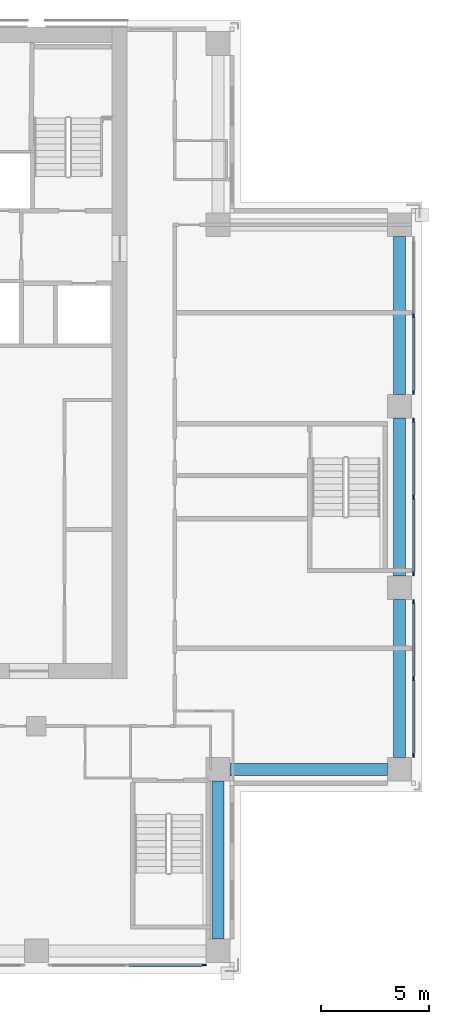
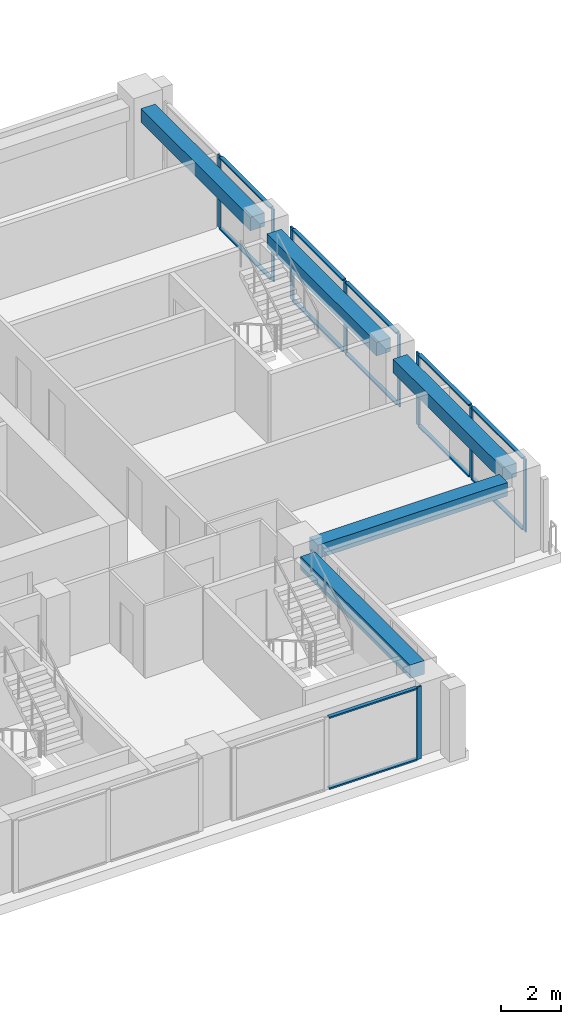
# One storey, part 5 of 16: 21 members, 5 beams, 4 elements without a shape of their own.
"""IFC4 building model written with IfcOpenShell, lengths in metres."""

from ifc_helpers import new_model, si_unit, direction, frame, origin, origin_2d, place, context, subcontext, project, spatial, rectangle, extrude, material, material_profile, profile_set, type_object, element, aggregate, save


model = new_model("IFC4")

# Units and contexts
model_context = context("Model", 3, precision=1e-05, world=origin(), true_north=direction((0.0, 1.0)))
body_context = subcontext(model_context, "Body", "Model", "MODEL_VIEW")
ifc_project = project(units=[si_unit("LENGTHUNIT", "METRE"), si_unit("AREAUNIT", "SQUARE_METRE"), si_unit("VOLUMEUNIT", "CUBIC_METRE"), si_unit("PLANEANGLEUNIT", "RADIAN"), si_unit("MASSUNIT", "GRAM", prefix="KILO")], contexts=[model_context])

# Site, building, storey
site_placement = place(None, origin())
site = spatial("IfcSite", under=ifc_project, at=site_placement, CompositionType="ELEMENT")
building_placement = place(site_placement, origin())
building = spatial("IfcBuilding", under=site, at=building_placement, Name="Vermilion Ogive Tower", CompositionType="ELEMENT")
storey_placement = place(building_placement, frame((0.0, 0.0, 167.60009765625)))
storey = spatial("IfcBuildingStorey", under=building, at=storey_placement, Name="L43", CompositionType="ELEMENT", Elevation=167.60009765625)

# Curtain wall, member
ifc_material_1 = material(Name="Low-iron laminated glazing in aluminium frame", Category="aluminium")
curtain_wall_type = type_object("IfcCurtainWallType", Name="Curtain wall CW7", PredefinedType="NOTDEFINED", material=ifc_material_1)
curtain_wall_1_placement = place(storey_placement, origin())
curtain_wall_1 = element("IfcCurtainWall", 1, at=curtain_wall_1_placement, inside=storey, type_object=curtain_wall_type, Name="Glazed skin S3", PredefinedType="NOTDEFINED")
ifc_material_2 = material(Name="Aluminium mullion", Category="aluminium")
ifc_material_profile_1 = material_profile(ifc_material_2, rectangle(XDim=0.06005859375, YDim=0.179931640625, at=origin_2d()), Name="AL 60x180")
ifc_profile_set_1 = profile_set([ifc_material_profile_1], Name="Aluminium mullion")
member_type_1 = type_object("IfcMemberType", Name="CW7 mullion 60x180", PredefinedType="MULLION", material=ifc_profile_set_1)
member_1_placement = place(storey_placement, frame((11.9599609375, -21.64990234375, 0.0), z_axis=(0.0, 0.0, 1.0), x_axis=(0.0, 1.0, 0.0)))
member_1 = element("IfcMember", 2, at=member_1_placement, type_object=member_type_1, Name="CW7-S3 mullion 3", PredefinedType="MULLION", context=body_context, shape_type="SweptSolid", body=[
    extrude(rectangle(XDim=0.06005859375, YDim=0.179931640625, at=origin_2d()), origin(), (0.0, 0.0, 1.0), 2.949951171875),
])

# Curtain wall, members
curtain_wall_2_placement = place(storey_placement, origin())
curtain_wall_2 = element("IfcCurtainWall", 3, at=curtain_wall_2_placement, inside=storey, type_object=curtain_wall_type, Name="Glazed skin E1", PredefinedType="NOTDEFINED")
member_2_placement = place(storey_placement, frame((21.64990234375, -11.9599609375, 0.0), z_axis=(0.0, 0.0, 1.0), x_axis=(-1.0, 0.0, 0.0)))
member_2 = element("IfcMember", 4, at=member_2_placement, type_object=member_type_1, Name="CW7-E1 mullion 1", PredefinedType="MULLION", context=body_context, shape_type="SweptSolid", body=[
    extrude(rectangle(XDim=0.06005859375, YDim=0.179931640625, at=origin_2d()), origin(), (0.0, 0.0, 1.0), 2.949951171875),
])
member_3_placement = place(storey_placement, frame((21.64990234375, -8.39990234375, 0.0), z_axis=(0.0, 0.0, 1.0), x_axis=(-1.0, 0.0, 0.0)))
member_3 = element("IfcMember", 5, at=member_3_placement, type_object=member_type_1, Name="CW7-E1 mullion 2", PredefinedType="MULLION", context=body_context, shape_type="SweptSolid", body=[
    extrude(rectangle(XDim=0.06005859375, YDim=0.179931640625, at=origin_2d()), origin(), (0.0, 0.0, 1.0), 2.949951171875),
])
member_4_placement = place(storey_placement, frame((21.64990234375, -4.840087890625, 0.0), z_axis=(0.0, 0.0, 1.0), x_axis=(-1.0, 0.0, 0.0)))
member_4 = element("IfcMember", 6, at=member_4_placement, type_object=member_type_1, Name="CW7-E1 mullion 3", PredefinedType="MULLION", context=body_context, shape_type="SweptSolid", body=[
    extrude(rectangle(XDim=0.06005859375, YDim=0.179931640625, at=origin_2d()), origin(), (0.0, 0.0, 1.0), 2.949951171875),
])

curtain_wall_3_placement = place(storey_placement, origin())
curtain_wall_3 = element("IfcCurtainWall", 7, at=curtain_wall_3_placement, inside=storey, type_object=curtain_wall_type, Name="Glazed skin E2", PredefinedType="NOTDEFINED")
member_5_placement = place(storey_placement, frame((21.64990234375, -3.56005859375, 0.0), z_axis=(0.0, 0.0, 1.0), x_axis=(-1.0, 0.0, 0.0)))
member_5 = element("IfcMember", 8, at=member_5_placement, type_object=member_type_1, Name="CW7-E2 mullion 1", PredefinedType="MULLION", context=body_context, shape_type="SweptSolid", body=[
    extrude(rectangle(XDim=0.06005859375, YDim=0.179931640625, at=origin_2d()), origin(), (0.0, 0.0, 1.0), 2.949951171875),
])
member_6_placement = place(storey_placement, frame((21.64990234375, 0.0, 0.0), z_axis=(0.0, 0.0, 1.0), x_axis=(-1.0, 0.0, 0.0)))
member_6 = element("IfcMember", 9, at=member_6_placement, type_object=member_type_1, Name="CW7-E2 mullion 2", PredefinedType="MULLION", context=body_context, shape_type="SweptSolid", body=[
    extrude(rectangle(XDim=0.06005859375, YDim=0.179931640625, at=origin_2d()), origin(), (0.0, 0.0, 1.0), 2.949951171875),
])
member_7_placement = place(storey_placement, frame((21.64990234375, 3.56005859375, 0.0), z_axis=(0.0, 0.0, 1.0), x_axis=(-1.0, 0.0, 0.0)))
member_7 = element("IfcMember", 10, at=member_7_placement, type_object=member_type_1, Name="CW7-E2 mullion 3", PredefinedType="MULLION", context=body_context, shape_type="SweptSolid", body=[
    extrude(rectangle(XDim=0.06005859375, YDim=0.179931640625, at=origin_2d()), origin(), (0.0, 0.0, 1.0), 2.949951171875),
])

curtain_wall_4_placement = place(storey_placement, origin())
curtain_wall_4 = element("IfcCurtainWall", 11, at=curtain_wall_4_placement, inside=storey, type_object=curtain_wall_type, Name="Glazed skin E3", PredefinedType="NOTDEFINED")
member_8_placement = place(storey_placement, frame((21.64990234375, 4.840087890625, 0.0), z_axis=(0.0, 0.0, 1.0), x_axis=(-1.0, 0.0, 0.0)))
member_8 = element("IfcMember", 12, at=member_8_placement, type_object=member_type_1, Name="CW7-E3 mullion 1", PredefinedType="MULLION", context=body_context, shape_type="SweptSolid", body=[
    extrude(rectangle(XDim=0.06005859375, YDim=0.179931640625, at=origin_2d()), origin(), (0.0, 0.0, 1.0), 2.949951171875),
])
member_9_placement = place(storey_placement, frame((21.64990234375, 8.39990234375, 0.0), z_axis=(0.0, 0.0, 1.0), x_axis=(-1.0, 0.0, 0.0)))
member_9 = element("IfcMember", 13, at=member_9_placement, type_object=member_type_1, Name="CW7-E3 mullion 2", PredefinedType="MULLION", context=body_context, shape_type="SweptSolid", body=[
    extrude(rectangle(XDim=0.06005859375, YDim=0.179931640625, at=origin_2d()), origin(), (0.0, 0.0, 1.0), 2.949951171875),
])

# Member
ifc_material_3 = material(Name="Aluminium transom", Category="aluminium")
ifc_material_profile_2 = material_profile(ifc_material_3, rectangle(XDim=0.139892578125, YDim=0.06005859375, at=origin_2d()), Name="AL 60x140")
ifc_profile_set_2 = profile_set([ifc_material_profile_2], Name="Aluminium transom")
member_type_2 = type_object("IfcMemberType", Name="CW7 transom 60x140", PredefinedType="USERDEFINED", material=ifc_profile_set_2)
member_10_placement = place(storey_placement, frame((8.489990234375, -21.64990234375, 0.02978515625), z_axis=(1.0, 0.0, 0.0), x_axis=(0.0, 1.0, 0.0)))
member_10 = element("IfcMember", 14, at=member_10_placement, type_object=member_type_2, Name="CW7-S3 transom 2.1", ObjectType="TRANSOM", PredefinedType="USERDEFINED", context=body_context, shape_type="SweptSolid", body=[
    extrude(rectangle(XDim=0.139892578125, YDim=0.06005859375, at=origin_2d()), origin(), (0.0, 0.0, 1.0), 3.380126953125),
])

member_11_placement = place(storey_placement, frame((8.489990234375, -21.64990234375, 2.919921875), z_axis=(1.0, 0.0, 0.0), x_axis=(0.0, 1.0, 0.0)))
member_11 = element("IfcMember", 15, at=member_11_placement, type_object=member_type_2, Name="CW7-S3 transom 2.2", ObjectType="TRANSOM", PredefinedType="USERDEFINED", context=body_context, shape_type="SweptSolid", body=[
    extrude(rectangle(XDim=0.139892578125, YDim=0.06005859375, at=origin_2d()), origin(), (0.0, 0.0, 1.0), 3.380126953125),
])

aggregate(curtain_wall_1, [member_1, member_10, member_11])

member_12_placement = place(storey_placement, frame((21.64990234375, -11.8701171875, 0.02978515625), z_axis=(0.0, 1.0, 0.0), x_axis=(-1.0, 0.0, 0.0)))
member_12 = element("IfcMember", 16, at=member_12_placement, type_object=member_type_2, Name="CW7-E1 transom 1.1", ObjectType="TRANSOM", PredefinedType="USERDEFINED", context=body_context, shape_type="SweptSolid", body=[
    extrude(rectangle(XDim=0.139892578125, YDim=0.06005859375, at=origin_2d()), origin(), (0.0, 0.0, 1.0), 3.380126953125),
])

member_13_placement = place(storey_placement, frame((21.64990234375, -11.8701171875, 2.919921875), z_axis=(0.0, 1.0, 0.0), x_axis=(-1.0, 0.0, 0.0)))
member_13 = element("IfcMember", 17, at=member_13_placement, type_object=member_type_2, Name="CW7-E1 transom 1.2", ObjectType="TRANSOM", PredefinedType="USERDEFINED", context=body_context, shape_type="SweptSolid", body=[
    extrude(rectangle(XDim=0.139892578125, YDim=0.06005859375, at=origin_2d()), origin(), (0.0, 0.0, 1.0), 3.380126953125),
])

member_14_placement = place(storey_placement, frame((21.64990234375, -8.31005859375, 0.02978515625), z_axis=(0.0, 1.0, 0.0), x_axis=(-1.0, 0.0, 0.0)))
member_14 = element("IfcMember", 18, at=member_14_placement, type_object=member_type_2, Name="CW7-E1 transom 2.1", ObjectType="TRANSOM", PredefinedType="USERDEFINED", context=body_context, shape_type="SweptSolid", body=[
    extrude(rectangle(XDim=0.139892578125, YDim=0.06005859375, at=origin_2d()), origin(), (0.0, 0.0, 1.0), 3.380126953125),
])

member_15_placement = place(storey_placement, frame((21.64990234375, -8.31005859375, 2.919921875), z_axis=(0.0, 1.0, 0.0), x_axis=(-1.0, 0.0, 0.0)))
member_15 = element("IfcMember", 19, at=member_15_placement, type_object=member_type_2, Name="CW7-E1 transom 2.2", ObjectType="TRANSOM", PredefinedType="USERDEFINED", context=body_context, shape_type="SweptSolid", body=[
    extrude(rectangle(XDim=0.139892578125, YDim=0.06005859375, at=origin_2d()), origin(), (0.0, 0.0, 1.0), 3.380126953125),
])

aggregate(curtain_wall_2, [member_2, member_3, member_4, member_12, member_13, member_14, member_15])

member_16_placement = place(storey_placement, frame((21.64990234375, -3.469970703125, 0.02978515625), z_axis=(0.0, 1.0, 0.0), x_axis=(-1.0, 0.0, 0.0)))
member_16 = element("IfcMember", 20, at=member_16_placement, type_object=member_type_2, Name="CW7-E2 transom 1.1", ObjectType="TRANSOM", PredefinedType="USERDEFINED", context=body_context, shape_type="SweptSolid", body=[
    extrude(rectangle(XDim=0.139892578125, YDim=0.06005859375, at=origin_2d()), origin(), (0.0, 0.0, 1.0), 3.3798828125),
])

member_17_placement = place(storey_placement, frame((21.64990234375, -3.469970703125, 2.919921875), z_axis=(0.0, 1.0, 0.0), x_axis=(-1.0, 0.0, 0.0)))
member_17 = element("IfcMember", 21, at=member_17_placement, type_object=member_type_2, Name="CW7-E2 transom 1.2", ObjectType="TRANSOM", PredefinedType="USERDEFINED", context=body_context, shape_type="SweptSolid", body=[
    extrude(rectangle(XDim=0.139892578125, YDim=0.06005859375, at=origin_2d()), origin(), (0.0, 0.0, 1.0), 3.3798828125),
])

member_18_placement = place(storey_placement, frame((21.64990234375, 0.090087890625, 0.02978515625), z_axis=(0.0, 1.0, 0.0), x_axis=(-1.0, 0.0, 0.0)))
member_18 = element("IfcMember", 22, at=member_18_placement, type_object=member_type_2, Name="CW7-E2 transom 2.1", ObjectType="TRANSOM", PredefinedType="USERDEFINED", context=body_context, shape_type="SweptSolid", body=[
    extrude(rectangle(XDim=0.139892578125, YDim=0.06005859375, at=origin_2d()), origin(), (0.0, 0.0, 1.0), 3.3798828125),
])

member_19_placement = place(storey_placement, frame((21.64990234375, 0.090087890625, 2.919921875), z_axis=(0.0, 1.0, 0.0), x_axis=(-1.0, 0.0, 0.0)))
member_19 = element("IfcMember", 23, at=member_19_placement, type_object=member_type_2, Name="CW7-E2 transom 2.2", ObjectType="TRANSOM", PredefinedType="USERDEFINED", context=body_context, shape_type="SweptSolid", body=[
    extrude(rectangle(XDim=0.139892578125, YDim=0.06005859375, at=origin_2d()), origin(), (0.0, 0.0, 1.0), 3.3798828125),
])

aggregate(curtain_wall_3, [member_5, member_6, member_7, member_16, member_17, member_18, member_19])

member_20_placement = place(storey_placement, frame((21.64990234375, 4.929931640625, 0.02978515625), z_axis=(0.0, 1.0, 0.0), x_axis=(-1.0, 0.0, 0.0)))
member_20 = element("IfcMember", 24, at=member_20_placement, type_object=member_type_2, Name="CW7-E3 transom 1.1", ObjectType="TRANSOM", PredefinedType="USERDEFINED", context=body_context, shape_type="SweptSolid", body=[
    extrude(rectangle(XDim=0.139892578125, YDim=0.06005859375, at=origin_2d()), origin(), (0.0, 0.0, 1.0), 3.380126953125),
])

member_21_placement = place(storey_placement, frame((21.64990234375, 4.929931640625, 2.919921875), z_axis=(0.0, 1.0, 0.0), x_axis=(-1.0, 0.0, 0.0)))
member_21 = element("IfcMember", 25, at=member_21_placement, type_object=member_type_2, Name="CW7-E3 transom 1.2", ObjectType="TRANSOM", PredefinedType="USERDEFINED", context=body_context, shape_type="SweptSolid", body=[
    extrude(rectangle(XDim=0.139892578125, YDim=0.06005859375, at=origin_2d()), origin(), (0.0, 0.0, 1.0), 3.380126953125),
])

aggregate(curtain_wall_4, [member_8, member_9, member_20, member_21])

# Beams
ifc_material_4 = material(Name="Concrete B45", Category="concrete")
ifc_material_profile_3 = material_profile(ifc_material_4, rectangle(XDim=0.550048828125, YDim=0.550048828125, at=origin_2d()), Name="550 x 550")
ifc_profile_set_3 = profile_set([ifc_material_profile_3], Name="Concrete B45")
beam_type = type_object("IfcBeamType", Name="Edge beam 550 x 550 B45", PredefinedType="BEAM", material=ifc_profile_set_3)
for number, where, z_axis, x_axis, name in (
    (26, (12.60009765625, -20.449951171875, 2.6748046875), (0.0, 1.0, 0.0), (-1.0, 0.0, 0.0), "L43-EB-4"),
    (27, (13.14990234375, -12.60009765625, 2.6748046875), (1.0, 0.0, 0.0), (0.0, 1.0, 0.0), "L43-EB-5"),
    (28, (21.0, -12.050048828125, 2.6748046875), (0.0, 1.0, 0.0), (-1.0, 0.0, 0.0), "L43-EB-6"),
):
    element("IfcBeam", number, at=place(storey_placement, frame(where, z_axis=z_axis, x_axis=x_axis)), inside=storey, type_object=beam_type, Name=name, PredefinedType="BEAM", context=body_context, shape_type="SweptSolid", body=[
        extrude(rectangle(XDim=0.550048828125, YDim=0.550048828125, at=origin_2d()), origin(), (0.0, 0.0, 1.0), 7.300048828125),
    ])
beam_1_placement = place(storey_placement, frame((21.0, -3.64990234375, 2.6748046875), z_axis=(0.0, 1.0, 0.0), x_axis=(-1.0, 0.0, 0.0)))
element("IfcBeam", 29, at=beam_1_placement, inside=storey, type_object=beam_type, Name="L43-EB-7", PredefinedType="BEAM", context=body_context, shape_type="SweptSolid", body=[
    extrude(rectangle(XDim=0.550048828125, YDim=0.550048828125, at=origin_2d()), origin(), (0.0, 0.0, 1.0), 7.2998046875),
])
beam_2_placement = place(storey_placement, frame((21.0, 4.75, 2.6748046875), z_axis=(0.0, 1.0, 0.0), x_axis=(-1.0, 0.0, 0.0)))
element("IfcBeam", 30, at=beam_2_placement, inside=storey, type_object=beam_type, Name="L43-EB-8", PredefinedType="BEAM", context=body_context, shape_type="SweptSolid", body=[
    extrude(rectangle(XDim=0.550048828125, YDim=0.550048828125, at=origin_2d()), origin(), (0.0, 0.0, 1.0), 7.300048828125),
])

save(model, "model.ifc")
